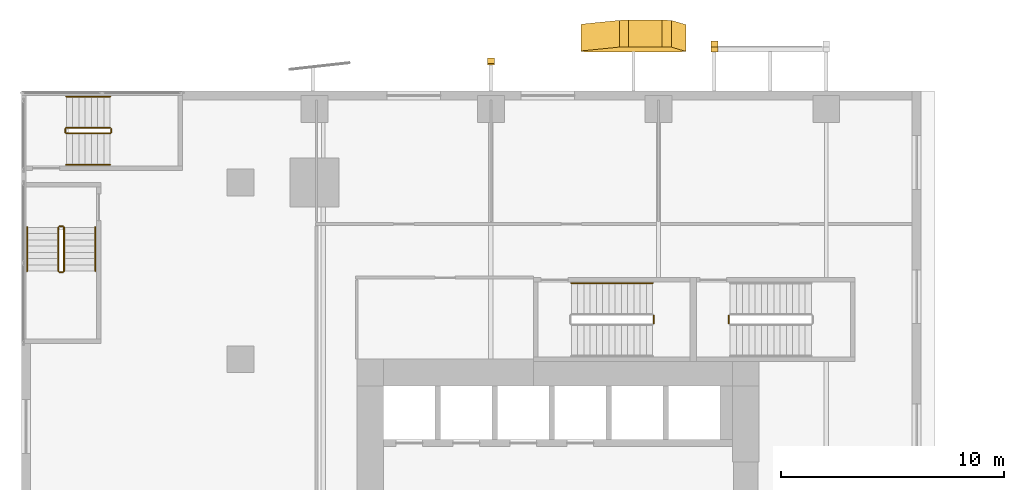
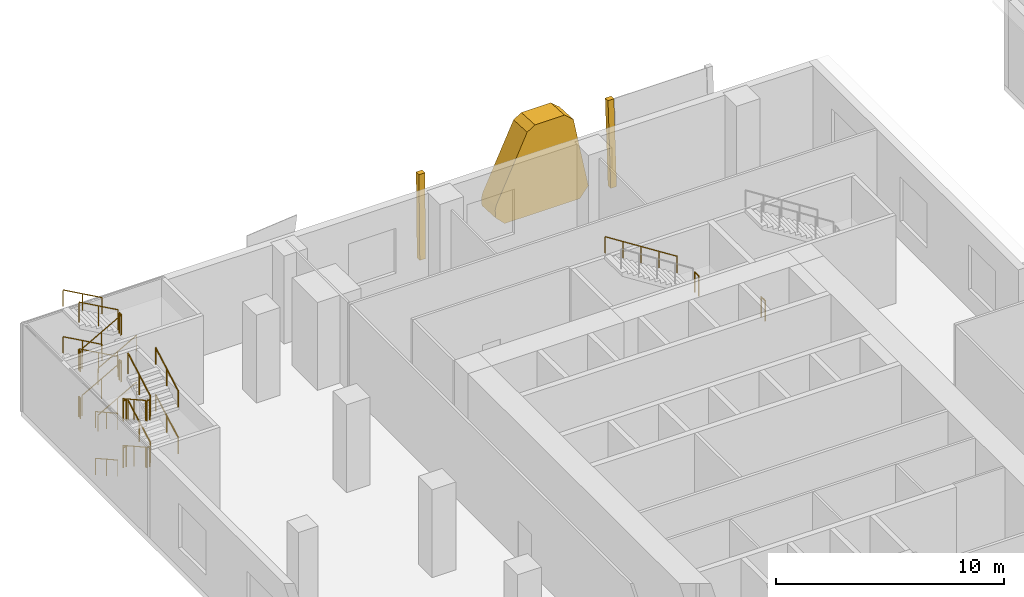
# One storey, part 19 of 22: 27 railings, 3 coverings.
"""IFC4 building model written with IfcOpenShell, lengths in metres."""

from ifc_helpers import new_model, si_unit, direction, frame, origin, origin_2d, place, context, subcontext, project, spatial, polyline, circle, outline, extrude, source, transform, mapped, material, layer, layer_set, type_object, element, save


model = new_model("IFC4")

# Units and contexts
model_context = context("Model", 3, precision=1e-05, world=origin(), true_north=direction((0.0, 1.0)))
body_context = subcontext(model_context, "Body", "Model", "MODEL_VIEW")
ifc_project = project(units=[si_unit("LENGTHUNIT", "METRE"), si_unit("AREAUNIT", "SQUARE_METRE"), si_unit("VOLUMEUNIT", "CUBIC_METRE"), si_unit("PLANEANGLEUNIT", "RADIAN"), si_unit("MASSUNIT", "GRAM", prefix="KILO")], contexts=[model_context])

# Site, building, storey
site_placement = place(None, origin())
site = spatial("IfcSite", under=ifc_project, at=site_placement, CompositionType="ELEMENT")
building_placement = place(site_placement, origin())
building = spatial("IfcBuilding", under=site, at=building_placement, Name="Khomas Fold Tower", CompositionType="ELEMENT")
storey_placement = place(building_placement, frame((0.0, 0.0, 23.5)))
storey = spatial("IfcBuildingStorey", under=building, at=storey_placement, Name="L04", CompositionType="ELEMENT", Elevation=23.5)

# Coverings
ifc_material_1 = material(Name="Natural stone cladding", Category="masonry")
ifc_layer_1 = layer(ifc_material_1, 0.25)
ifc_layer_set_1 = layer_set([ifc_layer_1], Name="Natural stone cladding")
covering_type_1 = type_object("IfcCoveringType", Name="SK-Karibib marble stone mullion", PredefinedType="CLADDING", material=ifc_layer_set_1)
covering_1_placement = place(storey_placement, frame((12.14990234375, 55.22314453125, 4.550048828125), z_axis=(0.0, -0.999876441469, 0.015719471876), x_axis=(0.0, -0.015719471876, -0.999876441469)))
element("IfcCovering", 1, at=covering_1_placement, inside=storey, type_object=covering_type_1, Name="OUTER SKIN mullion L04 NM100-2", PredefinedType="CLADDING", context=body_context, shape_type="SweptSolid", body=[
    extrude(outline(polyline([(0.0, 0.0), (4.550611094948788, 0.0), (4.550611094948788, -0.2998046875), (0.0, -0.2998046875), (0.0, 0.0)])), origin(), (0.0, 0.0, -1.0), 0.25),
])
covering_2_placement = place(storey_placement, frame((22.14990234375, 55.97705078125, 4.550048828125), z_axis=(0.0, -0.998628761104, 0.052350716295), x_axis=(0.0, -0.052350716295, -0.998628761104)))
element("IfcCovering", 2, at=covering_2_placement, inside=storey, type_object=covering_type_1, Name="OUTER SKIN mullion L04 NM102-3", PredefinedType="CLADDING", context=body_context, shape_type="SweptSolid", body=[
    extrude(outline(polyline([(0.0, 0.0), (4.556296599245323, 0.0), (4.556296599245323, -0.2998046875), (0.0, -0.2998046875), (0.0, 0.0)])), origin(), (0.0, 0.0, -1.0), 0.25),
])
ifc_material_2 = material(Name="Natural stone cladding", Category="masonry")
ifc_layer_2 = layer(ifc_material_2, 1.199951171875)
ifc_layer_set_2 = layer_set([ifc_layer_2], Name="Natural stone cladding")
covering_type_2 = type_object("IfcCoveringType", Name="SK-Karibib marble stone panel", PredefinedType="CLADDING", material=ifc_layer_set_2)
covering_3_placement = place(storey_placement, frame((16.030029296875, 55.76220703125, 0.449951171875), z_axis=(-1.0192718e-05, -0.9986292668, 0.05234106787), x_axis=(4.489e-09, 0.052341067872, 0.998629266852)))
element("IfcCovering", 3, at=covering_3_placement, inside=storey, type_object=covering_type_2, Name="OUTER SKIN leaf L04 NS05-1", PredefinedType="CLADDING", context=body_context, shape_type="SweptSolid", body=[
    extrude(outline(polyline([(0.0, 0.0), (0.4092429359413236, 2.6469779601696886e-23), (0.6158340197949973, -0.050048825427978595), (3.861727049315803, -1.7224120942234888), (4.105722677311014, -2.1223144351380476), (4.105722684012332, -3.6152343569354968), (3.733383902103444, -4.058349593394026), (0.07846619585473208, -4.703369142077498), (-0.4505739121250101, -4.260253909052686), (-0.4505739292284402, -0.4499511748756142), (0.0, 0.0)])), origin(), (0.0, 0.0, -1.0), 1.199951171875),
])

# Railings
ifc_material_3 = material(Name="Steel balustrade", Category="steel")
railing_type_1 = type_object("IfcRailingType", Name="Stair guard", PredefinedType="GUARDRAIL", material=ifc_material_3)
shared_shape_1 = source(origin(), body_context, "Body", "SweptSolid", [
    extrude(circle(Radius=0.02392578125, at=origin_2d()), frame((0.0, 0.0, 1.076171875), z_axis=(0.0, 1.0, 0.0), x_axis=(-1.0, 0.0, 0.0)), (0.0, 0.0, 1.0), 0.349853515625),
    extrude(circle(Radius=0.02099609375, at=origin_2d()), origin(), (0.0, 0.0, 1.0), 1.052001953125),
    extrude(circle(Radius=0.02099609375, at=origin_2d()), frame((0.0, 0.349853515625, 0.0)), (0.0, 0.0, 1.0), 1.052001953125),
])
for number, where, name in (
    (4, (19.2900390625, 43.60009765625, 2.5), "L04 ST1 stair guard 2"),
    (5, (22.64990234375, 43.60009765625, 0.0), "L04 ST3 stair guard 4"),
):
    element("IfcRailing", number, at=place(storey_placement, frame(where)), inside=storey, type_object=railing_type_1, Name=name, PredefinedType="GUARDRAIL", context=body_context, shape_type="MappedRepresentation", body=[
        mapped(shared_shape_1, transform((0.0, 0.0, 0.0))),
    ])
ifc_material_4 = material(Name="Steel handrail", Category="steel")
railing_type_2 = type_object("IfcRailingType", Name="Stair handrail", PredefinedType="HANDRAIL", material=ifc_material_4)
shared_shape_2 = source(origin(), body_context, "Body", "SweptSolid", [
    extrude(circle(Radius=0.02392578125, at=origin_2d()), frame((0.0, 0.0, 0.8759765625), z_axis=(-0.843111507901, 0.0, 0.53773877045), x_axis=(0.0, -1.0, 0.0)), (0.0, 0.0, 1.0), 4.317138671875),
    extrude(circle(Radius=0.02099609375, at=origin_2d()), origin(), (0.0, 0.0, 1.0), 0.851806640625),
    extrude(circle(Radius=0.02099609375, at=origin_2d()), frame((-0.909912109375, 0.0, 0.580322265625)), (0.0, 0.0, 1.0), 0.851806640625),
    extrude(circle(Radius=0.02099609375, at=origin_2d()), frame((-1.81982421875, 0.0, 1.16064453125)), (0.0, 0.0, 1.0), 0.851806640625),
    extrude(circle(Radius=0.02099609375, at=origin_2d()), frame((-2.72998046875, 0.0, 1.7412109375)), (0.0, 0.0, 1.0), 0.851806640625),
    extrude(circle(Radius=0.02099609375, at=origin_2d()), frame((-3.639892578125, 0.0, 2.321533203125)), (0.0, 0.0, 1.0), 0.851806640625),
])
railing_placement = place(storey_placement, frame((19.239990234375, 45.39990234375, 2.678466796875)))
element("IfcRailing", 6, at=railing_placement, inside=storey, type_object=railing_type_2, Name="L04 ST1 stair handrail 2", PredefinedType="HANDRAIL", context=body_context, shape_type="MappedRepresentation", body=[
    mapped(shared_shape_2, transform((0.0, 0.0, 0.0))),
])
shared_shape_3 = source(origin(), body_context, "Body", "SweptSolid", [
    extrude(circle(Radius=0.02392578125, at=origin_2d()), frame((0.0, 0.0, 1.076171875), z_axis=(0.0, 1.0, 0.0), x_axis=(-1.0, 0.0, 0.0)), (0.0, 0.0, 1.0), 0.150146484375),
    extrude(circle(Radius=0.02099609375, at=origin_2d()), origin(), (0.0, 0.0, 1.0), 1.052001953125),
    extrude(circle(Radius=0.02099609375, at=origin_2d()), frame((0.0, 0.150146484375, 0.0)), (0.0, 0.0, 1.0), 1.052001953125),
])
for number, where, name in (
    (7, (-4.989990234375, 52.14990234375, 1.25), "L04 PS7 stair guard 2"),
    (8, (-7.050048828125, 52.14990234375, 2.5), "L04 PS7 stair guard 4"),
    (9, (-4.989990234375, 52.14990234375, 3.75), "L04 PS7 stair guard 6"),
    (10, (-7.050048828125, 52.14990234375, 0.0), "L04 PS7 stair guard 8"),
):
    element("IfcRailing", number, at=place(storey_placement, frame(where)), inside=storey, type_object=railing_type_1, Name=name, PredefinedType="GUARDRAIL", context=body_context, shape_type="MappedRepresentation", body=[
        mapped(shared_shape_3, transform((0.0, 0.0, 0.0))),
    ])
shared_shape_4 = source(origin(), body_context, "Body", "SweptSolid", [
    extrude(circle(Radius=0.02392578125, at=origin_2d()), frame((0.0, 0.0, 1.076171875), z_axis=(0.873232148454, 0.0, 0.487304437602), x_axis=(0.0, 1.0, 0.0)), (0.0, 0.0, 1.0), 2.244384765625),
    extrude(circle(Radius=0.02099609375, at=origin_2d()), origin(), (0.0, 0.0, 1.0), 1.052001953125),
    extrude(circle(Radius=0.02099609375, at=origin_2d()), frame((0.97998046875, 0.0, 0.546875)), (0.0, 0.0, 1.0), 1.052001953125),
    extrude(circle(Radius=0.02099609375, at=origin_2d()), frame((1.9599609375, 0.0, 1.09375)), (0.0, 0.0, 1.0), 1.052001953125),
])
for number, where, name in (
    (11, (-7.0, 52.10009765625, 0.15625), "L04 PS7 stair guard 1"),
    (12, (-7.0, 52.10009765625, 2.65625), "L04 PS7 stair guard 5"),
):
    element("IfcRailing", number, at=place(storey_placement, frame(where)), inside=storey, type_object=railing_type_1, Name=name, PredefinedType="GUARDRAIL", context=body_context, shape_type="MappedRepresentation", body=[
        mapped(shared_shape_4, transform((0.0, 0.0, 0.0))),
    ])
shared_shape_5 = source(origin(), body_context, "Body", "SweptSolid", [
    extrude(circle(Radius=0.02392578125, at=origin_2d()), frame((0.0, 0.0, 1.076171875), z_axis=(-0.873232148454, 0.0, 0.487304437602), x_axis=(0.0, -1.0, 0.0)), (0.0, 0.0, 1.0), 2.244384765625),
    extrude(circle(Radius=0.02099609375, at=origin_2d()), origin(), (0.0, 0.0, 1.0), 1.052001953125),
    extrude(circle(Radius=0.02099609375, at=origin_2d()), frame((-0.97998046875, 0.0, 0.546875)), (0.0, 0.0, 1.0), 1.052001953125),
    extrude(circle(Radius=0.02099609375, at=origin_2d()), frame((-1.9599609375, 0.0, 1.09375)), (0.0, 0.0, 1.0), 1.052001953125),
])
for number, where, name in (
    (13, (-5.0400390625, 52.35009765625, 1.40625), "L04 PS7 stair guard 3"),
    (14, (-5.0400390625, 52.35009765625, 3.90625), "L04 PS7 stair guard 7"),
):
    element("IfcRailing", number, at=place(storey_placement, frame(where)), inside=storey, type_object=railing_type_1, Name=name, PredefinedType="GUARDRAIL", context=body_context, shape_type="MappedRepresentation", body=[
        mapped(shared_shape_5, transform((0.0, 0.0, 0.0))),
    ])
shared_shape_6 = source(origin(), body_context, "Body", "SweptSolid", [
    extrude(circle(Radius=0.02392578125, at=origin_2d()), frame((0.0, 0.0, 0.8759765625), z_axis=(0.873232148454, 0.0, 0.487304437602), x_axis=(0.0, 1.0, 0.0)), (0.0, 0.0, 1.0), 2.244384765625),
    extrude(circle(Radius=0.02099609375, at=origin_2d()), origin(), (0.0, 0.0, 1.0), 0.851806640625),
    extrude(circle(Radius=0.02099609375, at=origin_2d()), frame((0.97998046875, 0.0, 0.546875)), (0.0, 0.0, 1.0), 0.851806640625),
    extrude(circle(Radius=0.02099609375, at=origin_2d()), frame((1.9599609375, 0.0, 1.09375)), (0.0, 0.0, 1.0), 0.851806640625),
])
for number, where, name in (
    (15, (-7.0, 50.699951171875, 0.15625), "L04 PS7 stair handrail 1"),
    (16, (-7.0, 50.699951171875, 2.65625), "L04 PS7 stair handrail 3"),
):
    element("IfcRailing", number, at=place(storey_placement, frame(where)), inside=storey, type_object=railing_type_2, Name=name, PredefinedType="HANDRAIL", context=body_context, shape_type="MappedRepresentation", body=[
        mapped(shared_shape_6, transform((0.0, 0.0, 0.0))),
    ])
shared_shape_7 = source(origin(), body_context, "Body", "SweptSolid", [
    extrude(circle(Radius=0.02392578125, at=origin_2d()), frame((0.0, 0.0, 0.8759765625), z_axis=(-0.873232148454, 0.0, 0.487304437602), x_axis=(0.0, -1.0, 0.0)), (0.0, 0.0, 1.0), 2.244384765625),
    extrude(circle(Radius=0.02099609375, at=origin_2d()), origin(), (0.0, 0.0, 1.0), 0.851806640625),
    extrude(circle(Radius=0.02099609375, at=origin_2d()), frame((-0.97998046875, 0.0, 0.546875)), (0.0, 0.0, 1.0), 0.851806640625),
    extrude(circle(Radius=0.02099609375, at=origin_2d()), frame((-1.9599609375, 0.0, 1.09375)), (0.0, 0.0, 1.0), 0.851806640625),
])
for number, where, name in (
    (17, (-5.0400390625, 53.75, 1.40625), "L04 PS7 stair handrail 2"),
    (18, (-5.0400390625, 53.75, 3.90625), "L04 PS7 stair handrail 4"),
):
    element("IfcRailing", number, at=place(storey_placement, frame(where)), inside=storey, type_object=railing_type_2, Name=name, PredefinedType="HANDRAIL", context=body_context, shape_type="MappedRepresentation", body=[
        mapped(shared_shape_7, transform((0.0, 0.0, 0.0))),
    ])
shared_shape_8 = source(origin(), body_context, "Body", "SweptSolid", [
    extrude(circle(Radius=0.02392578125, at=origin_2d()), frame((0.0, 0.0, 1.076171875), z_axis=(0.0, 0.873232148454, 0.487304437602), x_axis=(-1.0, 0.0, 0.0)), (0.0, 0.0, 1.0), 2.244384765625),
    extrude(circle(Radius=0.02099609375, at=origin_2d()), origin(), (0.0, 0.0, 1.0), 1.052001953125),
    extrude(circle(Radius=0.02099609375, at=origin_2d()), frame((0.0, 0.97998046875, 0.546875)), (0.0, 0.0, 1.0), 1.052001953125),
    extrude(circle(Radius=0.02099609375, at=origin_2d()), frame((0.0, 1.9599609375, 1.09375)), (0.0, 0.0, 1.0), 1.052001953125),
])
for number, where, name in (
    (19, (-7.10009765625, 45.93994140625, 1.40625), "L04 PS8 stair guard 3"),
    (20, (-7.10009765625, 45.93994140625, 3.90625), "L04 PS8 stair guard 7"),
):
    element("IfcRailing", number, at=place(storey_placement, frame(where)), inside=storey, type_object=railing_type_1, Name=name, PredefinedType="GUARDRAIL", context=body_context, shape_type="MappedRepresentation", body=[
        mapped(shared_shape_8, transform((0.0, 0.0, 0.0))),
    ])
shared_shape_9 = source(origin(), body_context, "Body", "SweptSolid", [
    extrude(circle(Radius=0.02392578125, at=origin_2d()), frame((0.0, 0.0, 1.076171875), z_axis=(0.0, -0.873232148454, 0.487304437602), x_axis=(1.0, 0.0, 0.0)), (0.0, 0.0, 1.0), 2.244384765625),
    extrude(circle(Radius=0.02099609375, at=origin_2d()), origin(), (0.0, 0.0, 1.0), 1.052001953125),
    extrude(circle(Radius=0.02099609375, at=origin_2d()), frame((0.0, -0.97998046875, 0.546875)), (0.0, 0.0, 1.0), 1.052001953125),
    extrude(circle(Radius=0.02099609375, at=origin_2d()), frame((0.0, -1.9599609375, 1.09375)), (0.0, 0.0, 1.0), 1.052001953125),
])
for number, where, name in (
    (21, (-7.35009765625, 47.89990234375, 0.15625), "L04 PS8 stair guard 1"),
    (22, (-7.35009765625, 47.89990234375, 2.65625), "L04 PS8 stair guard 5"),
):
    element("IfcRailing", number, at=place(storey_placement, frame(where)), inside=storey, type_object=railing_type_1, Name=name, PredefinedType="GUARDRAIL", context=body_context, shape_type="MappedRepresentation", body=[
        mapped(shared_shape_9, transform((0.0, 0.0, 0.0))),
    ])
shared_shape_10 = source(origin(), body_context, "Body", "SweptSolid", [
    extrude(circle(Radius=0.02392578125, at=origin_2d()), frame((0.0, 0.0, 0.8759765625), z_axis=(0.0, 0.873232148454, 0.487304437602), x_axis=(-1.0, 0.0, 0.0)), (0.0, 0.0, 1.0), 2.244384765625),
    extrude(circle(Radius=0.02099609375, at=origin_2d()), origin(), (0.0, 0.0, 1.0), 0.851806640625),
    extrude(circle(Radius=0.02099609375, at=origin_2d()), frame((0.0, 0.97998046875, 0.546875)), (0.0, 0.0, 1.0), 0.851806640625),
    extrude(circle(Radius=0.02099609375, at=origin_2d()), frame((0.0, 1.9599609375, 1.09375)), (0.0, 0.0, 1.0), 0.851806640625),
])
for number, where, name in (
    (23, (-5.699951171875, 45.93994140625, 1.40625), "L04 PS8 stair handrail 2"),
    (24, (-5.699951171875, 45.93994140625, 3.90625), "L04 PS8 stair handrail 4"),
):
    element("IfcRailing", number, at=place(storey_placement, frame(where)), inside=storey, type_object=railing_type_2, Name=name, PredefinedType="HANDRAIL", context=body_context, shape_type="MappedRepresentation", body=[
        mapped(shared_shape_10, transform((0.0, 0.0, 0.0))),
    ])
shared_shape_11 = source(origin(), body_context, "Body", "SweptSolid", [
    extrude(circle(Radius=0.02392578125, at=origin_2d()), frame((0.0, 0.0, 0.8759765625), z_axis=(0.0, -0.873232148454, 0.487304437602), x_axis=(1.0, 0.0, 0.0)), (0.0, 0.0, 1.0), 2.244384765625),
    extrude(circle(Radius=0.02099609375, at=origin_2d()), origin(), (0.0, 0.0, 1.0), 0.851806640625),
    extrude(circle(Radius=0.02099609375, at=origin_2d()), frame((0.0, -0.97998046875, 0.546875)), (0.0, 0.0, 1.0), 0.851806640625),
    extrude(circle(Radius=0.02099609375, at=origin_2d()), frame((0.0, -1.9599609375, 1.09375)), (0.0, 0.0, 1.0), 0.851806640625),
])
for number, where, name in (
    (25, (-8.75, 47.89990234375, 0.15625), "L04 PS8 stair handrail 1"),
    (26, (-8.75, 47.89990234375, 2.65625), "L04 PS8 stair handrail 3"),
):
    element("IfcRailing", number, at=place(storey_placement, frame(where)), inside=storey, type_object=railing_type_2, Name=name, PredefinedType="HANDRAIL", context=body_context, shape_type="MappedRepresentation", body=[
        mapped(shared_shape_11, transform((0.0, 0.0, 0.0))),
    ])
shared_shape_12 = source(origin(), body_context, "Body", "SweptSolid", [
    extrude(circle(Radius=0.02392578125, at=origin_2d()), frame((0.0, 0.0, 1.076171875), z_axis=(1.0, 0.0, 0.0), x_axis=(0.0, 1.0, 0.0)), (0.0, 0.0, 1.0), 0.150146484375),
    extrude(circle(Radius=0.02099609375, at=origin_2d()), origin(), (0.0, 0.0, 1.0), 1.052001953125),
    extrude(circle(Radius=0.02099609375, at=origin_2d()), frame((0.150146484375, 0.0, 0.0)), (0.0, 0.0, 1.0), 1.052001953125),
])
for number, where, name in (
    (27, (-7.300048828125, 45.889892578125, 1.25), "L04 PS8 stair guard 2"),
    (28, (-7.300048828125, 47.949951171875, 2.5), "L04 PS8 stair guard 4"),
    (29, (-7.300048828125, 45.889892578125, 3.75), "L04 PS8 stair guard 6"),
    (30, (-7.300048828125, 47.949951171875, 0.0), "L04 PS8 stair guard 8"),
):
    element("IfcRailing", number, at=place(storey_placement, frame(where)), inside=storey, type_object=railing_type_1, Name=name, PredefinedType="GUARDRAIL", context=body_context, shape_type="MappedRepresentation", body=[
        mapped(shared_shape_12, transform((0.0, 0.0, 0.0))),
    ])

save(model, "model.ifc")
